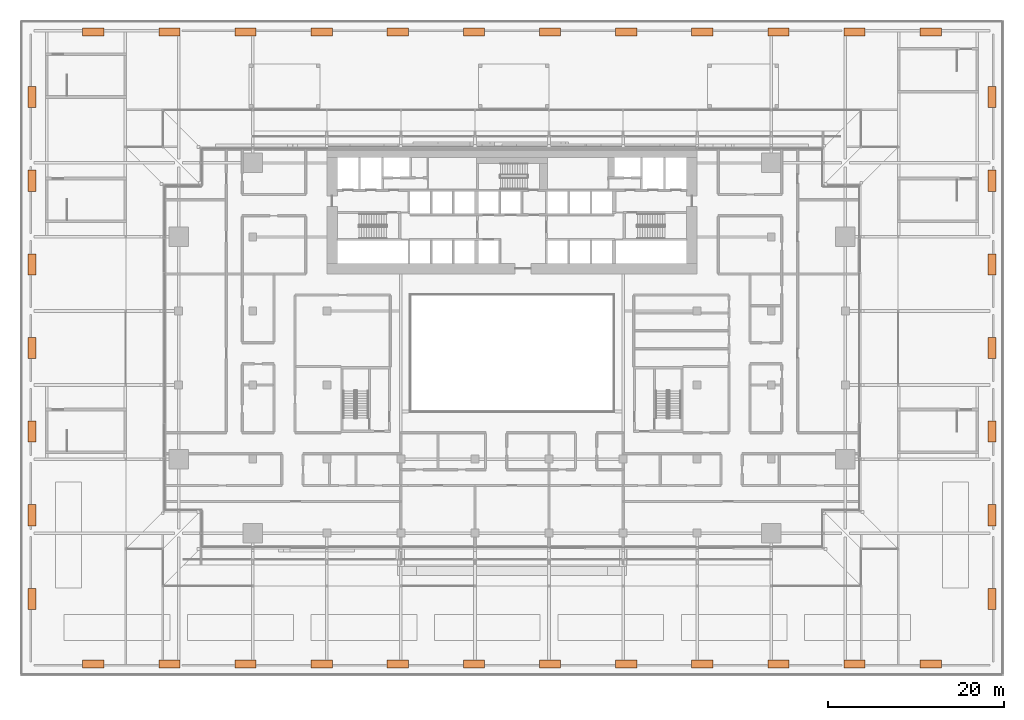
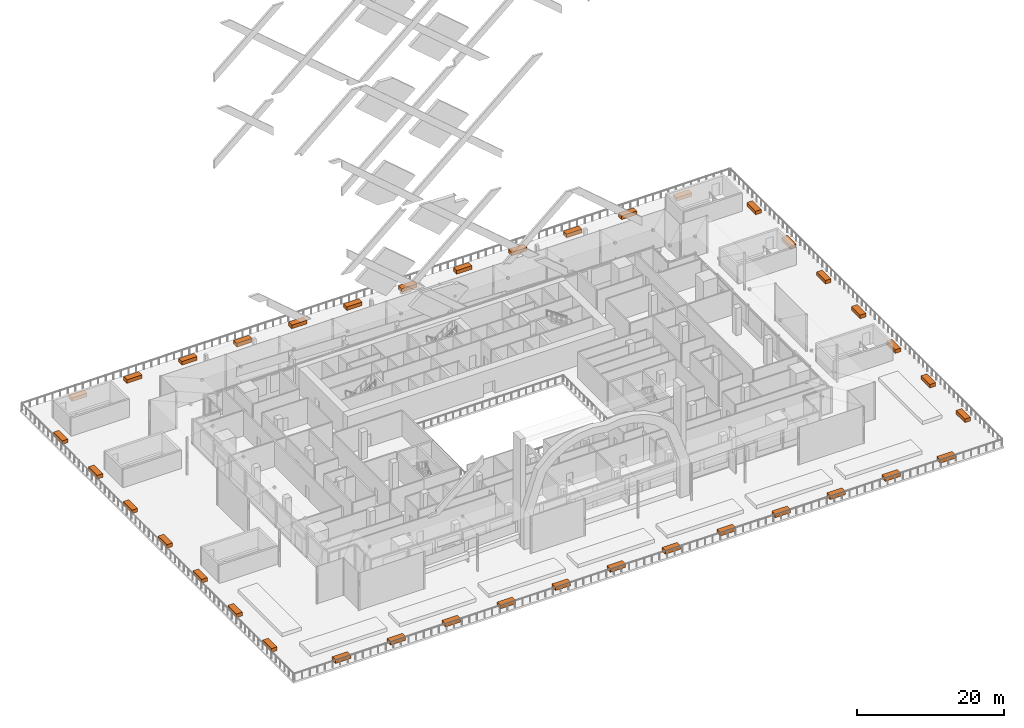
# One storey, part 60 of 60: 38 proxies.
"""IFC4 building model written with IfcOpenShell, lengths in metres."""

from ifc_helpers import new_model, si_unit, direction, frame, origin, origin_2d, place, context, subcontext, project, spatial, rectangle, extrude, element, save


model = new_model("IFC4")

# Units and contexts
model_context = context("Model", 3, precision=1e-05, world=origin(), true_north=direction((0.0, 1.0)))
body_context = subcontext(model_context, "Body", "Model", "MODEL_VIEW")
ifc_project = project(units=[si_unit("LENGTHUNIT", "METRE"), si_unit("AREAUNIT", "SQUARE_METRE"), si_unit("VOLUMEUNIT", "CUBIC_METRE"), si_unit("PLANEANGLEUNIT", "RADIAN"), si_unit("MASSUNIT", "GRAM", prefix="KILO")], contexts=[model_context])

# Site, building, storey
site_placement = place(None, origin())
site = spatial("IfcSite", under=ifc_project, at=site_placement, CompositionType="ELEMENT")
building_placement = place(site_placement, origin())
building = spatial("IfcBuilding", under=site, at=building_placement, Name="Saffron Gate Tower", CompositionType="ELEMENT")
storey_placement = place(building_placement, frame((0.0, 0.0, 19.199951171875)))
storey = spatial("IfcBuildingStorey", under=building, at=storey_placement, Name="L03", CompositionType="ELEMENT", Elevation=19.199951171875)

# Proxies
for number, where, z_axis, x_axis, name in (
    (1, (40.11669921875, 16.949951171875, 0.0), (0.0, 0.0, 1.0), (1.0, 0.0, 0.0), "PLANTER play deck"),
    (2, (48.75, 16.949951171875, 0.0), (0.0, 0.0, 1.0), (1.0, 0.0, 0.0), "PLANTER play deck"),
    (3, (57.38330078125, 16.949951171875, 0.0), (0.0, 0.0, 1.0), (1.0, 0.0, 0.0), "PLANTER play deck"),
    (4, (66.0166015625, 16.949951171875, 0.0), (0.0, 0.0, 1.0), (1.0, 0.0, 0.0), "PLANTER play deck"),
    (5, (74.64990234375, 16.949951171875, 0.0), (0.0, 0.0, 1.0), (1.0, 0.0, 0.0), "PLANTER play deck"),
    (6, (83.283447265625, 16.949951171875, 0.0), (0.0, 0.0, 1.0), (1.0, 0.0, 0.0), "PLANTER play deck"),
    (7, (91.916748046875, 16.949951171875, 0.0), (0.0, 0.0, 1.0), (1.0, 0.0, 0.0), "PLANTER play deck"),
    (8, (100.550048828125, 16.949951171875, 0.0), (0.0, 0.0, 1.0), (1.0, 0.0, 0.0), "PLANTER play deck"),
    (9, (109.183349609375, 16.949951171875, 0.0), (0.0, 0.0, 1.0), (1.0, 0.0, 0.0), "PLANTER play deck"),
    (10, (117.816650390625, 16.949951171875, 0.0), (0.0, 0.0, 1.0), (1.0, 0.0, 0.0), "PLANTER play deck"),
    (11, (126.449951171875, 16.949951171875, 0.0), (0.0, 0.0, 1.0), (1.0, 0.0, 0.0), "PLANTER play deck"),
    (12, (135.083251953125, 16.949951171875, 0.0), (0.0, 0.0, 1.0), (1.0, 0.0, 0.0), "PLANTER play deck"),
    (13, (40.11669921875, 88.64990234375, 0.0), (0.0, 0.0, 1.0), (1.0, 0.0, 0.0), "PLANTER play deck"),
    (14, (48.75, 88.64990234375, 0.0), (0.0, 0.0, 1.0), (1.0, 0.0, 0.0), "PLANTER play deck"),
    (15, (57.38330078125, 88.64990234375, 0.0), (0.0, 0.0, 1.0), (1.0, 0.0, 0.0), "PLANTER play deck"),
    (16, (66.0166015625, 88.64990234375, 0.0), (0.0, 0.0, 1.0), (1.0, 0.0, 0.0), "PLANTER play deck"),
    (17, (74.64990234375, 88.64990234375, 0.0), (0.0, 0.0, 1.0), (1.0, 0.0, 0.0), "PLANTER play deck"),
    (18, (83.283447265625, 88.64990234375, 0.0), (0.0, 0.0, 1.0), (1.0, 0.0, 0.0), "PLANTER play deck"),
    (19, (91.916748046875, 88.64990234375, 0.0), (0.0, 0.0, 1.0), (1.0, 0.0, 0.0), "PLANTER play deck"),
    (20, (100.550048828125, 88.64990234375, 0.0), (0.0, 0.0, 1.0), (1.0, 0.0, 0.0), "PLANTER play deck"),
    (21, (109.183349609375, 88.64990234375, 0.0), (0.0, 0.0, 1.0), (1.0, 0.0, 0.0), "PLANTER play deck"),
    (22, (117.816650390625, 88.64990234375, 0.0), (0.0, 0.0, 1.0), (1.0, 0.0, 0.0), "PLANTER play deck"),
    (23, (126.449951171875, 88.64990234375, 0.0), (0.0, 0.0, 1.0), (1.0, 0.0, 0.0), "PLANTER play deck"),
    (24, (135.083251953125, 88.64990234375, 0.0), (0.0, 0.0, 1.0), (1.0, 0.0, 0.0), "PLANTER play deck"),
    (25, (142.050048828125, 24.3427734375, 0.0), (0.0, 0.0, 1.0), (0.0, 1.0, 0.0), "PLANTER play deck"),
    (26, (142.050048828125, 33.82861328125, 0.0), (0.0, 0.0, 1.0), (0.0, 1.0, 0.0), "PLANTER play deck"),
    (27, (142.050048828125, 43.314208984375, 0.0), (0.0, 0.0, 1.0), (0.0, 1.0, 0.0), "PLANTER play deck"),
    (28, (142.050048828125, 52.800048828125, 0.0), (0.0, 0.0, 1.0), (0.0, 1.0, 0.0), "PLANTER play deck"),
    (29, (142.050048828125, 62.28564453125, 0.0), (0.0, 0.0, 1.0), (0.0, 1.0, 0.0), "PLANTER play deck"),
    (30, (142.050048828125, 71.771484375, 0.0), (0.0, 0.0, 1.0), (0.0, 1.0, 0.0), "PLANTER play deck"),
    (31, (142.050048828125, 81.257080078125, 0.0), (0.0, 0.0, 1.0), (0.0, 1.0, 0.0), "PLANTER play deck"),
    (32, (33.14990234375, 24.3427734375, 0.0), (0.0, 0.0, 1.0), (0.0, 1.0, 0.0), "PLANTER play deck"),
    (33, (33.14990234375, 33.82861328125, 0.0), (0.0, 0.0, 1.0), (0.0, 1.0, 0.0), "PLANTER play deck"),
    (34, (33.14990234375, 43.314208984375, 0.0), (0.0, 0.0, 1.0), (0.0, 1.0, 0.0), "PLANTER play deck"),
    (35, (33.14990234375, 52.800048828125, 0.0), (0.0, 0.0, 1.0), (0.0, 1.0, 0.0), "PLANTER play deck"),
    (36, (33.14990234375, 62.28564453125, 0.0), (0.0, 0.0, 1.0), (0.0, 1.0, 0.0), "PLANTER play deck"),
    (37, (33.14990234375, 71.771484375, 0.0), (0.0, 0.0, 1.0), (0.0, 1.0, 0.0), "PLANTER play deck"),
    (38, (33.14990234375, 81.257080078125, 0.0), (0.0, 0.0, 1.0), (0.0, 1.0, 0.0), "PLANTER play deck"),
):
    element("IfcBuildingElementProxy", number, at=place(storey_placement, frame(where, z_axis=z_axis, x_axis=x_axis)), inside=storey, Name=name, ObjectType="PLANTER", PredefinedType="USERDEFINED", context=body_context, shape_type="SweptSolid", body=[
        extrude(rectangle(XDim=2.39990234375, YDim=0.89990234375, at=origin_2d()), origin(), (0.0, 0.0, 1.0), 0.60009765625),
    ])

save(model, "model.ifc")
